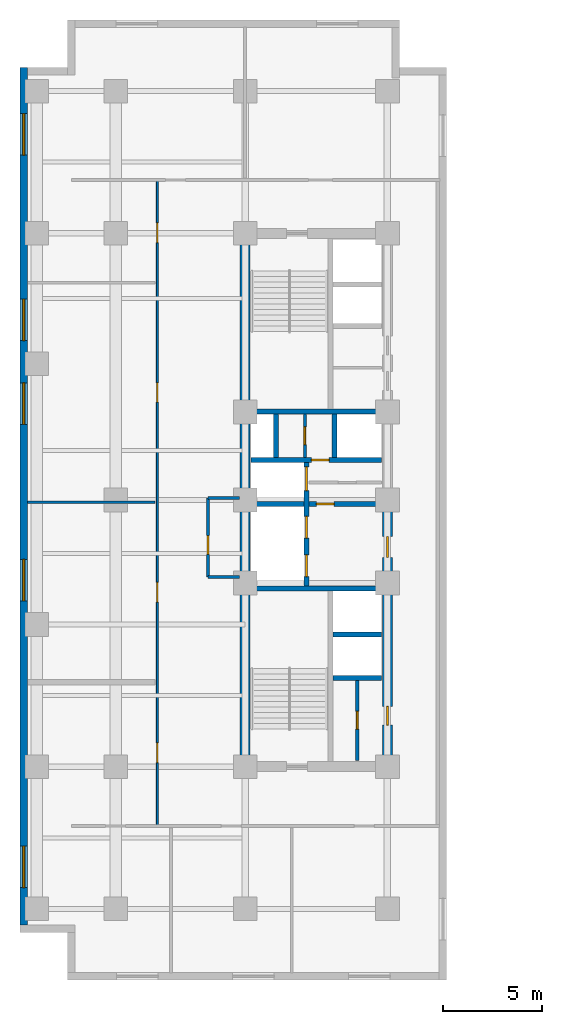
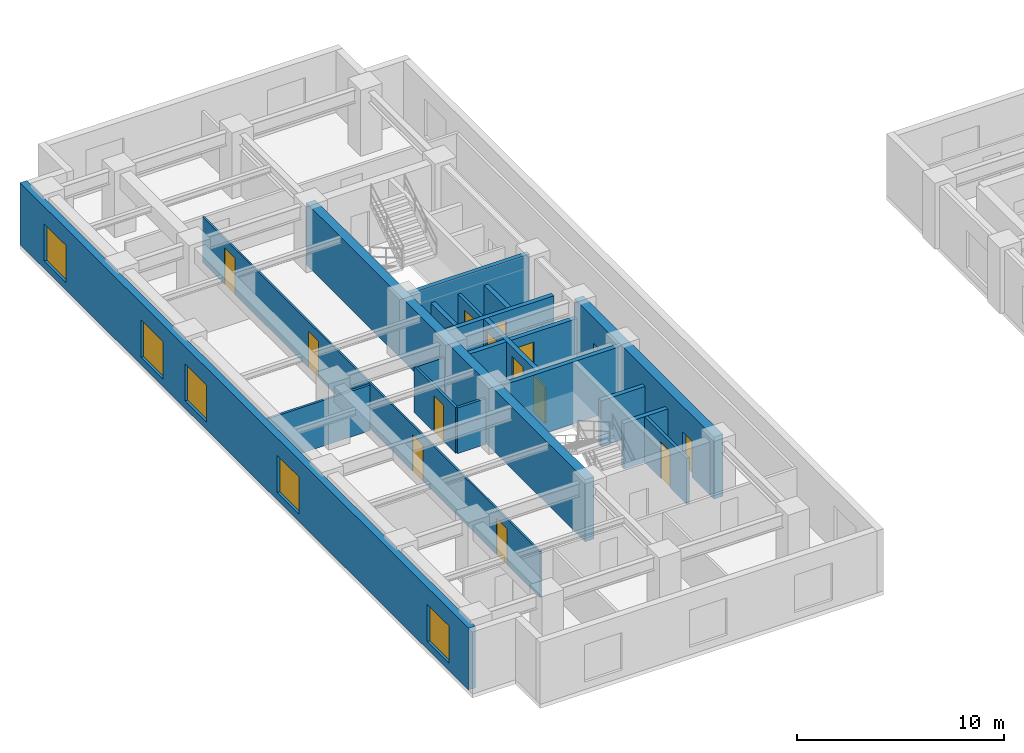
# One storey, part 3 of 9: 19 walls, 14 doors, 5 windows, 19 openings.
"""IFC4 building model written with IfcOpenShell, lengths in metres."""

from ifc_helpers import new_model, entity, si_unit, converted_unit, direction, frame, origin_with_axes, origin_2d_with_axis, place, context, subcontext, project, spatial, polyline, rectangle, outline, extrude, material, layer, layer_set, type_object, element, fill, save


model = new_model("IFC4")

# Units and contexts
model_context = context("Model", 3, precision=1e-05, world=origin_with_axes(), true_north=direction((0.0, 1.0)))
body_context = subcontext(model_context, "Body", "Model", "MODEL_VIEW")
ifc_project = project(units=[si_unit("LENGTHUNIT", "METRE"), si_unit("AREAUNIT", "SQUARE_METRE"), si_unit("VOLUMEUNIT", "CUBIC_METRE"), converted_unit("PLANEANGLEUNIT", "DEGREE", entity("IfcPlaneAngleMeasure", 0.017453292519943295), si_unit("PLANEANGLEUNIT", "RADIAN"), dimensions=[0, 0, 0, 0, 0, 0, 0]), si_unit("MASSUNIT", "GRAM", prefix="KILO"), si_unit("THERMODYNAMICTEMPERATUREUNIT", "KELVIN")], contexts=[model_context])

# Site, building, storey
site_placement = place(None, origin_with_axes())
site = spatial("IfcSite", under=ifc_project, at=site_placement, CompositionType="ELEMENT")
building_placement = place(site_placement, origin_with_axes())
building = spatial("IfcBuilding", under=site, at=building_placement, Name="Varnlund Millrace Tower", CompositionType="ELEMENT")
storey_placement = place(building_placement, frame((0.0, 0.0, 96.9), z_axis=(0.0, 0.0, 1.0), x_axis=(1.0, 0.0, 0.0)))
storey = spatial("IfcBuildingStorey", under=building, at=storey_placement, Name="L23", CompositionType="ELEMENT", Elevation=96.9)

# Wall
ifc_material_1 = material(Name="Concrete C70/85", Category="concrete")
ifc_layer_1 = layer(ifc_material_1, 0.5, Name="Concrete C70/85")
ifc_layer_set_1 = layer_set([ifc_layer_1], Name="Concrete C70/85")
wall_type_1 = type_object("IfcWallType", Name="Type-CoreWall-Shear-500-C70", PredefinedType="SHEAR", material=ifc_layer_set_1)
wall_1_placement = place(storey_placement, frame((11.4, 10.8, 0.0), z_axis=(0.0, 0.0, 1.0), x_axis=(0.0, 1.0, 0.0)))
element("IfcWall", 1, at=wall_1_placement, inside=storey, type_object=wall_type_1, Name="Type-CoreWall-Shear-500-C70", PredefinedType="SHEAR", context=body_context, shape_type="SweptSolid", body=[
    extrude(outline(polyline([(0.0, -0.25), (27.0, -0.25), (27.0, 0.25), (0.0, 0.25), (0.0, -0.25)])), origin_with_axes(), (0.0, 0.0, 1.0), 3.66),
])

# Wall, openings, doors
wall_2_placement = place(storey_placement, frame((18.6, 10.8, 0.0), z_axis=(0.0, 0.0, 1.0), x_axis=(0.0, 1.0, 0.0)))
wall_2 = element("IfcWall", 2, at=wall_2_placement, inside=storey, type_object=wall_type_1, Name="Type-CoreWall-Shear-500-C70", PredefinedType="SHEAR", context=body_context, shape_type="SweptSolid", body=[
    extrude(outline(polyline([(0.0, -0.25), (13.5, -0.25), (13.5, 0.25), (0.0, 0.25), (0.0, -0.25)])), origin_with_axes(), (0.0, 0.0, 1.0), 3.66),
])
opening_1_placement = place(wall_2_placement, frame((11.125, 0.0, 0.0), z_axis=(0.0, 0.0, 1.0), x_axis=(1.0, 0.0, 0.0)))
opening_1 = element("IfcOpeningElement", 3, at=opening_1_placement, cuts=wall_2, Name="Opening L23:DR-FFLOB-A", PredefinedType="OPENING", context=body_context, shape_type="SweptSolid", body=[
    extrude(rectangle(XDim=1.05, YDim=0.52, at=origin_2d_with_axis()), origin_with_axes(), (0.0, 0.0, 1.0), 2.15),
])
opening_2_placement = place(wall_2_placement, frame((2.575, 0.0, 0.0), z_axis=(0.0, 0.0, 1.0), x_axis=(1.0, 0.0, 0.0)))
opening_2 = element("IfcOpeningElement", 4, at=opening_2_placement, cuts=wall_2, Name="Opening L23:DR-RECL-L2", PredefinedType="OPENING", context=body_context, shape_type="SweptSolid", body=[
    extrude(rectangle(XDim=0.95, YDim=0.52, at=origin_2d_with_axis()), origin_with_axes(), (0.0, 0.0, 1.0), 2.15),
])
ifc_material_2 = material(Name="Smoke-barrier hollow steel fire door", Category="steel")
door_type_1 = type_object("IfcDoorType", Name="Type-FireDoor-Lobby-1050X2150", OperationType="NOTDEFINED", PredefinedType="DOOR", material=ifc_material_2)
door_1_placement = place(wall_2_placement, frame((11.125, 0.0, 0.0), z_axis=(0.0, 0.0, 1.0), x_axis=(1.0, 0.0, 0.0)))
door_1 = element("IfcDoor", 5, at=door_1_placement, inside=storey, type_object=door_type_1, Name="Type-FireDoor-Lobby-1050X2150", OperationType="SINGLE_SWING_LEFT", OverallHeight=2.15, OverallWidth=1.05, PredefinedType="DOOR", context=body_context, shape_type="SweptSolid", body=[
    extrude(rectangle(XDim=1.05, YDim=0.09, at=origin_2d_with_axis()), origin_with_axes(), (0.0, 0.0, 1.0), 2.15),
])
fill(opening_1, door_1)
ifc_material_3 = material(Name="Fire-rated hollow steel core service door", Category="steel")
door_type_2 = type_object("IfcDoorType", Name="Type-FireDoor-Service-950X2150", OperationType="NOTDEFINED", PredefinedType="DOOR", material=ifc_material_3)
door_2_placement = place(wall_2_placement, frame((2.575, 0.0, 0.0), z_axis=(0.0, 0.0, 1.0), x_axis=(1.0, 0.0, 0.0)))
door_2 = element("IfcDoor", 6, at=door_2_placement, inside=storey, type_object=door_type_2, Name="Type-FireDoor-Service-950X2150", OperationType="SINGLE_SWING_RIGHT", OverallHeight=2.15, OverallWidth=0.95, PredefinedType="DOOR", context=body_context, shape_type="SweptSolid", body=[
    extrude(rectangle(XDim=0.95, YDim=0.09, at=origin_2d_with_axis()), origin_with_axes(), (0.0, 0.0, 1.0), 2.15),
])
fill(opening_2, door_2)

# Wall, openings, windows
ifc_material_4 = material(Name="Precast concrete C50/60", Category="concrete")
ifc_layer_2 = layer(ifc_material_4, 0.38, Name="Precast concrete C50/60")
ifc_layer_set_2 = layer_set([ifc_layer_2], Name="Precast concrete C50/60")
wall_type_2 = type_object("IfcWallType", Name="Type-ExtWall-Precast-Tube-380", PredefinedType="SOLIDWALL", material=ifc_layer_set_2)
wall_3_placement = place(storey_placement, frame((0.19, 2.78, 0.0), z_axis=(0.0, 0.0, 1.0), x_axis=(0.0, 1.0, 0.0)))
wall_3 = element("IfcWall", 7, at=wall_3_placement, inside=storey, type_object=wall_type_2, Name="Type-ExtWall-Precast-Tube-380", PredefinedType="SOLIDWALL", context=body_context, shape_type="SweptSolid", body=[
    extrude(outline(polyline([(0.0, -0.19), (43.42, -0.19), (43.42, 0.19), (0.0, 0.19), (0.0, -0.19)])), origin_with_axes(), (0.0, 0.0, 1.0), 3.66),
])
opening_3_placement = place(wall_3_placement, frame((2.946, 0.0, 0.45), z_axis=(0.0, 0.0, 1.0), x_axis=(1.0, 0.0, 0.0)))
opening_3 = element("IfcOpeningElement", 8, at=opening_3_placement, cuts=wall_3, Name="Opening L23:WN-01", PredefinedType="OPENING", context=body_context, shape_type="SweptSolid", body=[
    extrude(rectangle(XDim=2.1, YDim=0.4, at=origin_2d_with_axis()), origin_with_axes(), (0.0, 0.0, 1.0), 2.2),
])
opening_4_placement = place(wall_3_placement, frame((17.469, 0.0, 0.45), z_axis=(0.0, 0.0, 1.0), x_axis=(1.0, 0.0, 0.0)))
opening_4 = element("IfcOpeningElement", 9, at=opening_4_placement, cuts=wall_3, Name="Opening L23:WN-02", PredefinedType="OPENING", context=body_context, shape_type="SweptSolid", body=[
    extrude(rectangle(XDim=2.1, YDim=0.4, at=origin_2d_with_axis()), origin_with_axes(), (0.0, 0.0, 1.0), 2.2),
])
opening_5_placement = place(wall_3_placement, frame((26.401, 0.0, 0.45), z_axis=(0.0, 0.0, 1.0), x_axis=(1.0, 0.0, 0.0)))
opening_5 = element("IfcOpeningElement", 10, at=opening_5_placement, cuts=wall_3, Name="Opening L23:WN-03", PredefinedType="OPENING", context=body_context, shape_type="SweptSolid", body=[
    extrude(rectangle(XDim=2.1, YDim=0.4, at=origin_2d_with_axis()), origin_with_axes(), (0.0, 0.0, 1.0), 2.2),
])
opening_6_placement = place(wall_3_placement, frame((30.642, 0.0, 0.45), z_axis=(0.0, 0.0, 1.0), x_axis=(1.0, 0.0, 0.0)))
opening_6 = element("IfcOpeningElement", 11, at=opening_6_placement, cuts=wall_3, Name="Opening L23:WN-04", PredefinedType="OPENING", context=body_context, shape_type="SweptSolid", body=[
    extrude(rectangle(XDim=2.1, YDim=0.4, at=origin_2d_with_axis()), origin_with_axes(), (0.0, 0.0, 1.0), 2.2),
])
opening_7_placement = place(wall_3_placement, frame((40.024, 0.0, 0.45), z_axis=(0.0, 0.0, 1.0), x_axis=(1.0, 0.0, 0.0)))
opening_7 = element("IfcOpeningElement", 12, at=opening_7_placement, cuts=wall_3, Name="Opening L23:WN-05", PredefinedType="OPENING", context=body_context, shape_type="SweptSolid", body=[
    extrude(rectangle(XDim=2.1, YDim=0.4, at=origin_2d_with_axis()), origin_with_axes(), (0.0, 0.0, 1.0), 2.2),
])
ifc_material_5 = material(Name="Argon low-e triple glazing in thermally broken bronze frame", Category="glass")
window_type = type_object("IfcWindowType", Name="Type-Window-Punched-2100X2200", PartitioningType="SINGLE_PANEL", PredefinedType="WINDOW", material=ifc_material_5)
window_1_placement = place(wall_3_placement, frame((2.946, 0.0, 0.45), z_axis=(0.0, 0.0, 1.0), x_axis=(1.0, 0.0, 0.0)))
window_1 = element("IfcWindow", 13, at=window_1_placement, inside=storey, type_object=window_type, Name="Type-Window-Punched-2100X2200", OverallHeight=2.2, OverallWidth=2.1, PredefinedType="WINDOW", context=body_context, shape_type="SweptSolid", body=[
    extrude(rectangle(XDim=2.1, YDim=0.09, at=origin_2d_with_axis()), origin_with_axes(), (0.0, 0.0, 1.0), 2.2),
])
fill(opening_3, window_1)
window_2_placement = place(wall_3_placement, frame((17.469, 0.0, 0.45), z_axis=(0.0, 0.0, 1.0), x_axis=(1.0, 0.0, 0.0)))
window_2 = element("IfcWindow", 14, at=window_2_placement, inside=storey, type_object=window_type, Name="Type-Window-Punched-2100X2200", OverallHeight=2.2, OverallWidth=2.1, PredefinedType="WINDOW", context=body_context, shape_type="SweptSolid", body=[
    extrude(rectangle(XDim=2.1, YDim=0.09, at=origin_2d_with_axis()), origin_with_axes(), (0.0, 0.0, 1.0), 2.2),
])
fill(opening_4, window_2)
window_3_placement = place(wall_3_placement, frame((26.401, 0.0, 0.45), z_axis=(0.0, 0.0, 1.0), x_axis=(1.0, 0.0, 0.0)))
window_3 = element("IfcWindow", 15, at=window_3_placement, inside=storey, type_object=window_type, Name="Type-Window-Punched-2100X2200", OverallHeight=2.2, OverallWidth=2.1, PredefinedType="WINDOW", context=body_context, shape_type="SweptSolid", body=[
    extrude(rectangle(XDim=2.1, YDim=0.09, at=origin_2d_with_axis()), origin_with_axes(), (0.0, 0.0, 1.0), 2.2),
])
fill(opening_5, window_3)
window_4_placement = place(wall_3_placement, frame((30.642, 0.0, 0.45), z_axis=(0.0, 0.0, 1.0), x_axis=(1.0, 0.0, 0.0)))
window_4 = element("IfcWindow", 16, at=window_4_placement, inside=storey, type_object=window_type, Name="Type-Window-Punched-2100X2200", OverallHeight=2.2, OverallWidth=2.1, PredefinedType="WINDOW", context=body_context, shape_type="SweptSolid", body=[
    extrude(rectangle(XDim=2.1, YDim=0.09, at=origin_2d_with_axis()), origin_with_axes(), (0.0, 0.0, 1.0), 2.2),
])
fill(opening_6, window_4)
window_5_placement = place(wall_3_placement, frame((40.024, 0.0, 0.45), z_axis=(0.0, 0.0, 1.0), x_axis=(1.0, 0.0, 0.0)))
window_5 = element("IfcWindow", 17, at=window_5_placement, inside=storey, type_object=window_type, Name="Type-Window-Punched-2100X2200", OverallHeight=2.2, OverallWidth=2.1, PredefinedType="WINDOW", context=body_context, shape_type="SweptSolid", body=[
    extrude(rectangle(XDim=2.1, YDim=0.09, at=origin_2d_with_axis()), origin_with_axes(), (0.0, 0.0, 1.0), 2.2),
])
fill(opening_7, window_5)

# Wall, opening, door
ifc_material_6 = material(Name="Fire-rated gypsum board on cold-formed steel framing", Category="steel")
ifc_layer_3 = layer(ifc_material_6, 0.16, Name="Fire-rated gypsum board on cold-formed steel framing")
ifc_layer_set_3 = layer_set([ifc_layer_3], Name="Fire-rated gypsum board on cold-formed steel framing")
wall_type_3 = type_object("IfcWallType", Name="Type-Partition-Corridor-160", PredefinedType="PARTITIONING", material=ifc_layer_set_3)
wall_4_placement = place(storey_placement, frame((14.42, 26.45, 0.0), z_axis=(0.0, 0.0, 1.0), x_axis=(0.0, 1.0, 0.0)))
wall_4 = element("IfcWall", 18, at=wall_4_placement, inside=storey, type_object=wall_type_3, Name="Type-Partition-Corridor-160", PredefinedType="PARTITIONING", context=body_context, shape_type="SweptSolid", body=[
    extrude(outline(polyline([(0.0, -0.08), (2.2, -0.08), (2.2, 0.08), (0.0, 0.08), (0.0, -0.08)])), origin_with_axes(), (0.0, 0.0, 1.0), 2.7),
])
opening_8_placement = place(wall_4_placement, frame((1.1, 0.0, 0.0), z_axis=(0.0, 0.0, 1.0), x_axis=(1.0, 0.0, 0.0)))
opening_8 = element("IfcOpeningElement", 19, at=opening_8_placement, cuts=wall_4, Name="Opening L23:DR-CA-EL2", PredefinedType="OPENING", context=body_context, shape_type="SweptSolid", body=[
    extrude(rectangle(XDim=0.9, YDim=0.18, at=origin_2d_with_axis()), origin_with_axes(), (0.0, 0.0, 1.0), 2.15),
])
ifc_material_7 = material(Name="Painted steel riser and closet door", Category="steel")
door_type_3 = type_object("IfcDoorType", Name="Type-IntDoor-Closet-900X2150", OperationType="NOTDEFINED", PredefinedType="DOOR", material=ifc_material_7)
door_3_placement = place(wall_4_placement, frame((1.1, 0.0, 0.0), z_axis=(0.0, 0.0, 1.0), x_axis=(1.0, 0.0, 0.0)))
door_3 = element("IfcDoor", 20, at=door_3_placement, inside=storey, type_object=door_type_3, Name="Type-IntDoor-Closet-900X2150", OperationType="SINGLE_SWING_LEFT", OverallHeight=2.15, OverallWidth=0.9, PredefinedType="DOOR", context=body_context, shape_type="SweptSolid", body=[
    extrude(rectangle(XDim=0.9, YDim=0.09, at=origin_2d_with_axis()), origin_with_axes(), (0.0, 0.0, 1.0), 2.15),
])
fill(opening_8, door_3)

wall_5_placement = place(storey_placement, frame((17.07, 11.1, 0.0), z_axis=(0.0, 0.0, 1.0), x_axis=(0.0, 1.0, 0.0)))
wall_5 = element("IfcWall", 21, at=wall_5_placement, inside=storey, type_object=wall_type_3, Name="Type-Partition-Corridor-160", PredefinedType="PARTITIONING", context=body_context, shape_type="SweptSolid", body=[
    extrude(outline(polyline([(0.0, -0.08), (4.1, -0.08), (4.1, 0.08), (0.0, 0.08), (0.0, -0.08)])), origin_with_axes(), (0.0, 0.0, 1.0), 2.7),
])
opening_9_placement = place(wall_5_placement, frame((2.05, 0.0, 0.0), z_axis=(0.0, 0.0, 1.0), x_axis=(1.0, 0.0, 0.0)))
opening_9 = element("IfcOpeningElement", 22, at=opening_9_placement, cuts=wall_5, Name="Opening L23:DR-RECL-L1", PredefinedType="OPENING", context=body_context, shape_type="SweptSolid", body=[
    extrude(rectangle(XDim=0.9, YDim=0.18, at=origin_2d_with_axis()), origin_with_axes(), (0.0, 0.0, 1.0), 2.15),
])
door_4_placement = place(wall_5_placement, frame((2.05, 0.0, 0.0), z_axis=(0.0, 0.0, 1.0), x_axis=(1.0, 0.0, 0.0)))
door_4 = element("IfcDoor", 23, at=door_4_placement, inside=storey, type_object=door_type_3, Name="Type-IntDoor-Closet-900X2150", OperationType="SINGLE_SWING_LEFT", OverallHeight=2.15, OverallWidth=0.9, PredefinedType="DOOR", context=body_context, shape_type="SweptSolid", body=[
    extrude(rectangle(XDim=0.9, YDim=0.09, at=origin_2d_with_axis()), origin_with_axes(), (0.0, 0.0, 1.0), 2.15),
])
fill(opening_9, door_4)

# Wall, openings, doors
ifc_material_8 = material(Name="Architectural bronze and acoustic glass office front", Category="glass")
ifc_layer_4 = layer(ifc_material_8, 0.1, Name="Architectural bronze and acoustic glass office front")
ifc_layer_set_4 = layer_set([ifc_layer_4], Name="Architectural bronze and acoustic glass office front")
wall_type_4 = type_object("IfcWallType", Name="Type-Partition-Glazed-100", PredefinedType="PARTITIONING", material=ifc_layer_set_4)
wall_6_placement = place(storey_placement, frame((6.95, 7.8, 0.0), z_axis=(0.0, 0.0, 1.0), x_axis=(0.0, 1.0, 0.0)))
wall_6 = element("IfcWall", 24, at=wall_6_placement, inside=storey, type_object=wall_type_4, Name="Type-Partition-Glazed-100", PredefinedType="PARTITIONING", context=body_context, shape_type="SweptSolid", body=[
    extrude(outline(polyline([(0.0, -0.05), (32.7, -0.05), (32.7, 0.05), (0.0, 0.05), (0.0, -0.05)])), origin_with_axes(), (0.0, 0.0, 1.0), 2.7),
])
opening_10_placement = place(wall_6_placement, frame((3.7065, 0.0, 0.0), z_axis=(0.0, 0.0, 1.0), x_axis=(1.0, 0.0, 0.0)))
opening_10 = element("IfcOpeningElement", 25, at=opening_10_placement, cuts=wall_6, Name="Opening L23:DR-W-01", PredefinedType="OPENING", context=body_context, shape_type="SweptSolid", body=[
    extrude(rectangle(XDim=1.0, YDim=0.12, at=origin_2d_with_axis()), origin_with_axes(), (0.0, 0.0, 1.0), 2.15),
])
opening_11_placement = place(wall_6_placement, frame((11.836, 0.0, 0.0), z_axis=(0.0, 0.0, 1.0), x_axis=(1.0, 0.0, 0.0)))
opening_11 = element("IfcOpeningElement", 26, at=opening_11_placement, cuts=wall_6, Name="Opening L23:DR-W-02", PredefinedType="OPENING", context=body_context, shape_type="SweptSolid", body=[
    extrude(rectangle(XDim=1.0, YDim=0.12, at=origin_2d_with_axis()), origin_with_axes(), (0.0, 0.0, 1.0), 2.15),
])
opening_12_placement = place(wall_6_placement, frame((21.94, 0.0, 0.0), z_axis=(0.0, 0.0, 1.0), x_axis=(1.0, 0.0, 0.0)))
opening_12 = element("IfcOpeningElement", 27, at=opening_12_placement, cuts=wall_6, Name="Opening L23:DR-W-03", PredefinedType="OPENING", context=body_context, shape_type="SweptSolid", body=[
    extrude(rectangle(XDim=1.0, YDim=0.12, at=origin_2d_with_axis()), origin_with_axes(), (0.0, 0.0, 1.0), 2.15),
])
opening_13_placement = place(wall_6_placement, frame((30.0305, 0.0, 0.0), z_axis=(0.0, 0.0, 1.0), x_axis=(1.0, 0.0, 0.0)))
opening_13 = element("IfcOpeningElement", 28, at=opening_13_placement, cuts=wall_6, Name="Opening L23:DR-W-04", PredefinedType="OPENING", context=body_context, shape_type="SweptSolid", body=[
    extrude(rectangle(XDim=1.0, YDim=0.12, at=origin_2d_with_axis()), origin_with_axes(), (0.0, 0.0, 1.0), 2.15),
])
ifc_material_9 = material(Name="Solid-core white oak and bronze frame door")
door_type_4 = type_object("IfcDoorType", Name="Type-IntDoor-Office-1000X2150", OperationType="NOTDEFINED", PredefinedType="DOOR", material=ifc_material_9)
door_5_placement = place(wall_6_placement, frame((3.7065, 0.0, 0.0), z_axis=(0.0, 0.0, 1.0), x_axis=(1.0, 0.0, 0.0)))
door_5 = element("IfcDoor", 29, at=door_5_placement, inside=storey, type_object=door_type_4, Name="Type-IntDoor-Office-1000X2150", OperationType="SINGLE_SWING_LEFT", OverallHeight=2.15, OverallWidth=1.0, PredefinedType="DOOR", context=body_context, shape_type="SweptSolid", body=[
    extrude(rectangle(XDim=1.0, YDim=0.06, at=origin_2d_with_axis()), origin_with_axes(), (0.0, 0.0, 1.0), 2.15),
])
fill(opening_10, door_5)
door_6_placement = place(wall_6_placement, frame((11.836, 0.0, 0.0), z_axis=(0.0, 0.0, 1.0), x_axis=(1.0, 0.0, 0.0)))
door_6 = element("IfcDoor", 30, at=door_6_placement, inside=storey, type_object=door_type_4, Name="Type-IntDoor-Office-1000X2150", OperationType="SINGLE_SWING_RIGHT", OverallHeight=2.15, OverallWidth=1.0, PredefinedType="DOOR", context=body_context, shape_type="SweptSolid", body=[
    extrude(rectangle(XDim=1.0, YDim=0.06, at=origin_2d_with_axis()), origin_with_axes(), (0.0, 0.0, 1.0), 2.15),
])
fill(opening_11, door_6)
door_7_placement = place(wall_6_placement, frame((21.94, 0.0, 0.0), z_axis=(0.0, 0.0, 1.0), x_axis=(1.0, 0.0, 0.0)))
door_7 = element("IfcDoor", 31, at=door_7_placement, inside=storey, type_object=door_type_4, Name="Type-IntDoor-Office-1000X2150", OperationType="SINGLE_SWING_LEFT", OverallHeight=2.15, OverallWidth=1.0, PredefinedType="DOOR", context=body_context, shape_type="SweptSolid", body=[
    extrude(rectangle(XDim=1.0, YDim=0.06, at=origin_2d_with_axis()), origin_with_axes(), (0.0, 0.0, 1.0), 2.15),
])
fill(opening_12, door_7)
door_8_placement = place(wall_6_placement, frame((30.0305, 0.0, 0.0), z_axis=(0.0, 0.0, 1.0), x_axis=(1.0, 0.0, 0.0)))
door_8 = element("IfcDoor", 32, at=door_8_placement, inside=storey, type_object=door_type_4, Name="Type-IntDoor-Office-1000X2150", OperationType="SINGLE_SWING_RIGHT", OverallHeight=2.15, OverallWidth=1.0, PredefinedType="DOOR", context=body_context, shape_type="SweptSolid", body=[
    extrude(rectangle(XDim=1.0, YDim=0.06, at=origin_2d_with_axis()), origin_with_axes(), (0.0, 0.0, 1.0), 2.15),
])
fill(opening_13, door_8)

# Wall
ifc_material_10 = material(Name="Gypsum board tenant partition", Category="gypsum")
ifc_layer_5 = layer(ifc_material_10, 0.125, Name="Gypsum board tenant partition")
ifc_layer_set_5 = layer_set([ifc_layer_5], Name="Gypsum board tenant partition")
wall_type_5 = type_object("IfcWallType", Name="Type-Partition-Tenant-125", PredefinedType="PARTITIONING", material=ifc_layer_set_5)
wall_7_placement = place(storey_placement, frame((0.375, 24.189, 0.0), z_axis=(0.0, 0.0, 1.0), x_axis=(1.0, 0.0, 0.0)))
element("IfcWall", 33, at=wall_7_placement, inside=storey, type_object=wall_type_5, Name="Type-Partition-Tenant-125", PredefinedType="PARTITIONING", context=body_context, shape_type="SweptSolid", body=[
    extrude(outline(polyline([(0.0, -0.0625), (6.455, -0.0625), (6.455, 0.0625), (0.0, 0.0625), (0.0, -0.0625)])), origin_with_axes(), (0.0, 0.0, 1.0), 2.7),
])

# Wall, opening, door
ifc_material_11 = material(Name="Moisture-resistant gypsum restroom partition", Category="gypsum")
ifc_layer_6 = layer(ifc_material_11, 0.14, Name="Moisture-resistant gypsum restroom partition")
ifc_layer_set_6 = layer_set([ifc_layer_6], Name="Moisture-resistant gypsum restroom partition")
wall_type_6 = type_object("IfcWallType", Name="Type-Partition-Wet-140", PredefinedType="PARTITIONING", material=ifc_layer_set_6)
wall_8_placement = place(storey_placement, frame((9.52, 20.4, 0.0), z_axis=(0.0, 0.0, 1.0), x_axis=(0.0, 1.0, 0.0)))
wall_8 = element("IfcWall", 34, at=wall_8_placement, inside=storey, type_object=wall_type_6, Name="Type-Partition-Wet-140", PredefinedType="PARTITIONING", context=body_context, shape_type="SweptSolid", body=[
    extrude(outline(polyline([(0.0, -0.07), (4.0, -0.07), (4.0, 0.07), (0.0, 0.07), (0.0, -0.07)])), origin_with_axes(), (0.0, 0.0, 1.0), 2.7),
])
opening_14_placement = place(wall_8_placement, frame((1.625, 0.0, 0.0), z_axis=(0.0, 0.0, 1.0), x_axis=(1.0, 0.0, 0.0)))
opening_14 = element("IfcOpeningElement", 35, at=opening_14_placement, cuts=wall_8, Name="Opening L23:DR-CA-WCW", PredefinedType="OPENING", context=body_context, shape_type="SweptSolid", body=[
    extrude(rectangle(XDim=0.95, YDim=0.16, at=origin_2d_with_axis()), origin_with_axes(), (0.0, 0.0, 1.0), 2.15),
])
ifc_material_12 = material(Name="Solid-core acoustic office door")
door_type_5 = type_object("IfcDoorType", Name="Type-IntDoor-Tenant-950X2150", OperationType="NOTDEFINED", PredefinedType="DOOR", material=ifc_material_12)
door_9_placement = place(wall_8_placement, frame((1.625, 0.0, 0.0), z_axis=(0.0, 0.0, 1.0), x_axis=(1.0, 0.0, 0.0)))
door_9 = element("IfcDoor", 36, at=door_9_placement, inside=storey, type_object=door_type_5, Name="Type-IntDoor-Tenant-950X2150", OperationType="SINGLE_SWING_LEFT", OverallHeight=2.15, OverallWidth=0.95, PredefinedType="DOOR", context=body_context, shape_type="SweptSolid", body=[
    extrude(rectangle(XDim=0.95, YDim=0.084, at=origin_2d_with_axis()), origin_with_axes(), (0.0, 0.0, 1.0), 2.15),
])
fill(opening_14, door_9)

# Walls
for number, where, z_axis, x_axis, name in (
    (37, (9.52, 20.4, 0.0), (0.0, 0.0, 1.0), (1.0, 0.0, 0.0), "Type-Partition-Wet-140"),
    (38, (9.52, 24.4, 0.0), (0.0, 0.0, 1.0), (1.0, 0.0, 0.0), "Type-Partition-Wet-140"),
):
    element("IfcWall", number, at=place(storey_placement, frame(where, z_axis=z_axis, x_axis=x_axis)), inside=storey, type_object=wall_type_6, Name=name, PredefinedType="PARTITIONING", context=body_context, shape_type="SweptSolid", body=[
        extrude(outline(polyline([(0.0, -0.07), (1.58, -0.07), (1.58, 0.07), (0.0, 0.07), (0.0, -0.07)])), origin_with_axes(), (0.0, 0.0, 1.0), 2.7),
    ])

# Wall, openings, doors
ifc_material_13 = material(Name="Concrete C60/75", Category="concrete")
ifc_layer_7 = layer(ifc_material_13, 0.25, Name="Concrete C60/75")
ifc_layer_set_7 = layer_set([ifc_layer_7], Name="Concrete C60/75")
wall_type_7 = type_object("IfcWallType", Name="Type-ShaftWall-Fire-250", PredefinedType="SOLIDWALL", material=ifc_layer_set_7)
wall_9_placement = place(storey_placement, frame((14.5, 19.95, 0.0), z_axis=(0.0, 0.0, 1.0), x_axis=(0.0, 1.0, 0.0)))
wall_9 = element("IfcWall", 39, at=wall_9_placement, inside=storey, type_object=wall_type_7, Name="Type-ShaftWall-Fire-250", PredefinedType="SOLIDWALL", context=body_context, shape_type="SweptSolid", body=[
    extrude(outline(polyline([(0.0, -0.125), (6.25, -0.125), (6.25, 0.125), (0.0, 0.125), (0.0, -0.125)])), origin_with_axes(), (0.0, 0.0, 1.0), 2.7),
])
opening_15_placement = place(wall_9_placement, frame((1.025, 0.0, 0.0), z_axis=(0.0, 0.0, 1.0), x_axis=(1.0, 0.0, 0.0)))
opening_15 = element("IfcOpeningElement", 40, at=opening_15_placement, cuts=wall_9, Name="Opening L23:LD-FSAE1", PredefinedType="OPENING", context=body_context, shape_type="SweptSolid", body=[
    extrude(rectangle(XDim=1.1, YDim=0.27, at=origin_2d_with_axis()), origin_with_axes(), (0.0, 0.0, 1.0), 2.15),
])
opening_16_placement = place(wall_9_placement, frame((2.975, 0.0, 0.0), z_axis=(0.0, 0.0, 1.0), x_axis=(1.0, 0.0, 0.0)))
opening_16 = element("IfcOpeningElement", 41, at=opening_16_placement, cuts=wall_9, Name="Opening L23:LD-FSAE2", PredefinedType="OPENING", context=body_context, shape_type="SweptSolid", body=[
    extrude(rectangle(XDim=1.1, YDim=0.27, at=origin_2d_with_axis()), origin_with_axes(), (0.0, 0.0, 1.0), 2.15),
])
opening_17_placement = place(wall_9_placement, frame((5.425, 0.0, 0.0), z_axis=(0.0, 0.0, 1.0), x_axis=(1.0, 0.0, 0.0)))
opening_17 = element("IfcOpeningElement", 42, at=opening_17_placement, cuts=wall_9, Name="Opening L23:LD-SRV1", PredefinedType="OPENING", context=body_context, shape_type="SweptSolid", body=[
    extrude(rectangle(XDim=1.2, YDim=0.27, at=origin_2d_with_axis()), origin_with_axes(), (0.0, 0.0, 1.0), 2.15),
])
ifc_material_14 = material(Name="Stainless and architectural bronze sliding landing door")
door_type_6 = type_object("IfcDoorType", Name="Type-LiftLandingDoor-1100X2150", OperationType="NOTDEFINED", PredefinedType="DOOR", material=ifc_material_14)
door_10_placement = place(wall_9_placement, frame((1.025, 0.0, 0.0), z_axis=(0.0, 0.0, 1.0), x_axis=(1.0, 0.0, 0.0)))
door_10 = element("IfcDoor", 43, at=door_10_placement, inside=storey, type_object=door_type_6, Name="Type-LiftLandingDoor-1100X2150", OperationType="SLIDING_TO_LEFT", OverallHeight=2.15, OverallWidth=1.1, PredefinedType="DOOR", context=body_context, shape_type="SweptSolid", body=[
    extrude(rectangle(XDim=1.1, YDim=0.09, at=origin_2d_with_axis()), origin_with_axes(), (0.0, 0.0, 1.0), 2.15),
])
fill(opening_15, door_10)
door_11_placement = place(wall_9_placement, frame((2.975, 0.0, 0.0), z_axis=(0.0, 0.0, 1.0), x_axis=(1.0, 0.0, 0.0)))
door_11 = element("IfcDoor", 44, at=door_11_placement, inside=storey, type_object=door_type_6, Name="Type-LiftLandingDoor-1100X2150", OperationType="SLIDING_TO_RIGHT", OverallHeight=2.15, OverallWidth=1.1, PredefinedType="DOOR", context=body_context, shape_type="SweptSolid", body=[
    extrude(rectangle(XDim=1.1, YDim=0.09, at=origin_2d_with_axis()), origin_with_axes(), (0.0, 0.0, 1.0), 2.15),
])
fill(opening_16, door_11)
ifc_material_15 = material(Name="Heavy-duty freight sliding landing door")
door_type_7 = type_object("IfcDoorType", Name="Type-LiftLandingDoor-Service-1200X2150", OperationType="NOTDEFINED", PredefinedType="DOOR", material=ifc_material_15)
door_12_placement = place(wall_9_placement, frame((5.425, 0.0, 0.0), z_axis=(0.0, 0.0, 1.0), x_axis=(1.0, 0.0, 0.0)))
door_12 = element("IfcDoor", 45, at=door_12_placement, inside=storey, type_object=door_type_7, Name="Type-LiftLandingDoor-Service-1200X2150", OperationType="DOUBLE_DOOR_SLIDING", OverallHeight=2.15, OverallWidth=1.2, PredefinedType="DOOR", context=body_context, shape_type="SweptSolid", body=[
    extrude(rectangle(XDim=1.2, YDim=0.09, at=origin_2d_with_axis()), origin_with_axes(), (0.0, 0.0, 1.0), 2.15),
])
fill(opening_17, door_12)

# Wall, opening, door
wall_10_placement = place(storey_placement, frame((11.7, 24.1, 0.0), z_axis=(0.0, 0.0, 1.0), x_axis=(1.0, 0.0, 0.0)))
wall_10 = element("IfcWall", 46, at=wall_10_placement, inside=storey, type_object=wall_type_7, Name="Type-ShaftWall-Fire-250", PredefinedType="SOLIDWALL", context=body_context, shape_type="SweptSolid", body=[
    extrude(outline(polyline([(0.0, -0.125), (6.6, -0.125), (6.6, 0.125), (0.0, 0.125), (0.0, -0.125)])), origin_with_axes(), (0.0, 0.0, 1.0), 2.7),
])
opening_18_placement = place(wall_10_placement, frame((3.75, 0.0, 0.0), z_axis=(0.0, 0.0, 1.0), x_axis=(1.0, 0.0, 0.0)))
opening_18 = element("IfcOpeningElement", 47, at=opening_18_placement, cuts=wall_10, Name="Opening L23:DR-CA-SUB1", PredefinedType="OPENING", context=body_context, shape_type="SweptSolid", body=[
    extrude(rectangle(XDim=0.9, YDim=0.27, at=origin_2d_with_axis()), origin_with_axes(), (0.0, 0.0, 1.0), 2.15),
])
ifc_material_16 = material(Name="Fire-rated hollow steel service closet door", Category="steel")
door_type_8 = type_object("IfcDoorType", Name="Type-FireDoor-Closet-900X2150", OperationType="NOTDEFINED", PredefinedType="DOOR", material=ifc_material_16)
door_13_placement = place(wall_10_placement, frame((3.75, 0.0, 0.0), z_axis=(0.0, 0.0, 1.0), x_axis=(1.0, 0.0, 0.0)))
door_13 = element("IfcDoor", 48, at=door_13_placement, inside=storey, type_object=door_type_8, Name="Type-FireDoor-Closet-900X2150", OperationType="SINGLE_SWING_LEFT", OverallHeight=2.15, OverallWidth=0.9, PredefinedType="DOOR", context=body_context, shape_type="SweptSolid", body=[
    extrude(rectangle(XDim=0.9, YDim=0.09, at=origin_2d_with_axis()), origin_with_axes(), (0.0, 0.0, 1.0), 2.15),
])
fill(opening_18, door_13)

wall_11_placement = place(storey_placement, frame((11.7, 26.325, 0.0), z_axis=(0.0, 0.0, 1.0), x_axis=(1.0, 0.0, 0.0)))
wall_11 = element("IfcWall", 49, at=wall_11_placement, inside=storey, type_object=wall_type_7, Name="Type-ShaftWall-Fire-250", PredefinedType="SOLIDWALL", context=body_context, shape_type="SweptSolid", body=[
    extrude(outline(polyline([(0.0, -0.125), (6.6, -0.125), (6.6, 0.125), (0.0, 0.125), (0.0, -0.125)])), origin_with_axes(), (0.0, 0.0, 1.0), 2.7),
])
opening_19_placement = place(wall_11_placement, frame((3.5, 0.0, 0.0), z_axis=(0.0, 0.0, 1.0), x_axis=(1.0, 0.0, 0.0)))
opening_19 = element("IfcOpeningElement", 50, at=opening_19_placement, cuts=wall_11, Name="Opening L23:DR-CA-EL1", PredefinedType="OPENING", context=body_context, shape_type="SweptSolid", body=[
    extrude(rectangle(XDim=0.9, YDim=0.27, at=origin_2d_with_axis()), origin_with_axes(), (0.0, 0.0, 1.0), 2.15),
])
door_14_placement = place(wall_11_placement, frame((3.5, 0.0, 0.0), z_axis=(0.0, 0.0, 1.0), x_axis=(1.0, 0.0, 0.0)))
door_14 = element("IfcDoor", 51, at=door_14_placement, inside=storey, type_object=door_type_8, Name="Type-FireDoor-Closet-900X2150", OperationType="SINGLE_SWING_LEFT", OverallHeight=2.15, OverallWidth=0.9, PredefinedType="DOOR", context=body_context, shape_type="SweptSolid", body=[
    extrude(rectangle(XDim=0.9, YDim=0.09, at=origin_2d_with_axis()), origin_with_axes(), (0.0, 0.0, 1.0), 2.15),
])
fill(opening_19, door_14)

# Walls
for number, where, z_axis, x_axis, name in (
    (52, (12.96, 26.45, 0.0), (0.0, 0.0, 1.0), (0.0, 1.0, 0.0), "Type-ShaftWall-Fire-250"),
    (53, (15.925, 26.45, 0.0), (0.0, 0.0, 1.0), (0.0, 1.0, 0.0), "Type-ShaftWall-Fire-250"),
):
    element("IfcWall", number, at=place(storey_placement, frame(where, z_axis=z_axis, x_axis=x_axis)), inside=storey, type_object=wall_type_7, Name=name, PredefinedType="SOLIDWALL", context=body_context, shape_type="SweptSolid", body=[
        extrude(outline(polyline([(0.0, -0.125), (2.2, -0.125), (2.2, 0.125), (0.0, 0.125), (0.0, -0.125)])), origin_with_axes(), (0.0, 0.0, 1.0), 2.7),
    ])
for number, where, z_axis, x_axis, name in (
    (54, (15.84, 15.29, 0.0), (0.0, 0.0, 1.0), (1.0, 0.0, 0.0), "Type-ShaftWall-Fire-250"),
    (55, (15.84, 17.49, 0.0), (0.0, 0.0, 1.0), (1.0, 0.0, 0.0), "Type-ShaftWall-Fire-250"),
):
    element("IfcWall", number, at=place(storey_placement, frame(where, z_axis=z_axis, x_axis=x_axis)), inside=storey, type_object=wall_type_7, Name=name, PredefinedType="SOLIDWALL", context=body_context, shape_type="SweptSolid", body=[
        extrude(outline(polyline([(0.0, -0.125), (2.46, -0.125), (2.46, 0.125), (0.0, 0.125), (0.0, -0.125)])), origin_with_axes(), (0.0, 0.0, 1.0), 2.7),
    ])
wall_type_8 = type_object("IfcWallType", Name="Type-StairWall-Shear-250", PredefinedType="SHEAR", material=ifc_layer_set_7)
for number, where, z_axis, x_axis, name in (
    (56, (11.65, 19.825, 0.0), (0.0, 0.0, 1.0), (1.0, 0.0, 0.0), "Type-StairWall-Shear-250"),
    (57, (11.65, 28.775, 0.0), (0.0, 0.0, 1.0), (1.0, 0.0, 0.0), "Type-StairWall-Shear-250"),
):
    element("IfcWall", number, at=place(storey_placement, frame(where, z_axis=z_axis, x_axis=x_axis)), inside=storey, type_object=wall_type_8, Name=name, PredefinedType="SHEAR", context=body_context, shape_type="SweptSolid", body=[
        extrude(outline(polyline([(0.0, -0.125), (6.7, -0.125), (6.7, 0.125), (0.0, 0.125), (0.0, -0.125)])), origin_with_axes(), (0.0, 0.0, 1.0), 3.66),
    ])

save(model, "model.ifc")
